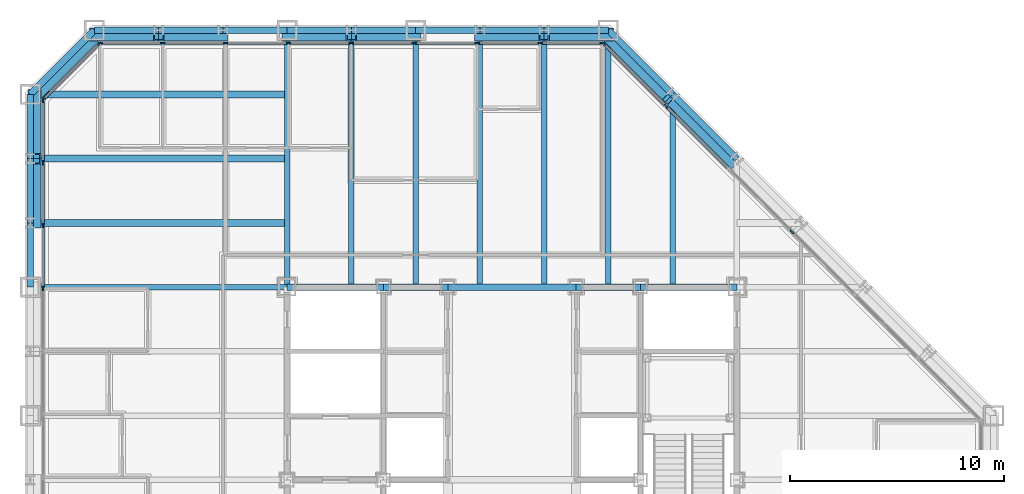
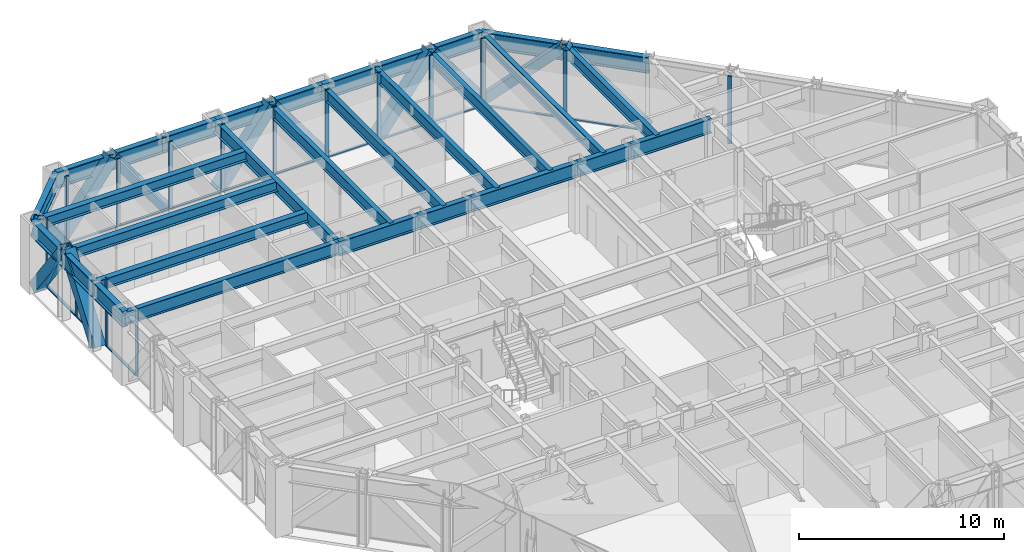
# One storey, part 7 of 16: 43 members, 30 beams, 4 elements without a shape of their own.
"""IFC4 building model written with IfcOpenShell, lengths in metres."""

from ifc_helpers import new_model, si_unit, direction, frame, origin, origin_2d, place, context, subcontext, project, spatial, rectangle, hollow_rectangle, i_section, extrude, material, layer, layer_set, material_profile, profile_set, type_object, element, aggregate, save


model = new_model("IFC4")

# Units and contexts
model_context = context("Model", 3, precision=1e-05, world=origin(), true_north=direction((0.0, 1.0)))
body_context = subcontext(model_context, "Body", "Model", "MODEL_VIEW")
ifc_project = project(units=[si_unit("LENGTHUNIT", "METRE"), si_unit("AREAUNIT", "SQUARE_METRE"), si_unit("VOLUMEUNIT", "CUBIC_METRE"), si_unit("PLANEANGLEUNIT", "RADIAN"), si_unit("MASSUNIT", "GRAM", prefix="KILO")], contexts=[model_context])

# Site, building, storey
site_placement = place(None, origin())
site = spatial("IfcSite", under=ifc_project, at=site_placement, CompositionType="ELEMENT")
building_placement = place(site_placement, origin())
building = spatial("IfcBuilding", under=site, at=building_placement, Name="Chuquiago Exchange Tower", CompositionType="ELEMENT")
storey_placement = place(building_placement, frame((0.0, 0.0, 140.39990234375)))
storey = spatial("IfcBuildingStorey", under=building, at=storey_placement, Name="L30", CompositionType="ELEMENT", Elevation=140.39990234375)

# Beams
ifc_material_1 = material(Name="Steel ASTM A992", Category="steel")
ifc_material_profile_1 = material_profile(ifc_material_1, i_section(OverallWidth=0.25390625, OverallDepth=0.683349609375, WebThickness=0.012451171875, FlangeThickness=0.018798828125, at=origin_2d()), Name="W27X94")
ifc_profile_set_1 = profile_set([ifc_material_profile_1], Name="Steel ASTM A992")
beam_type_1 = type_object("IfcBeamType", Name="B1 W27X94", PredefinedType="BEAM", material=ifc_profile_set_1)
for number, where, z_axis, x_axis, name in (
    (1, (15.0, 33.0, 3.698486328125), (0.0, 1.0, 0.0), (-1.0, 0.0, 0.0), "FB-L31-infill-15_33-15_45-0"),
    (2, (18.0, 33.0, 3.698486328125), (0.0, 1.0, 0.0), (-1.0, 0.0, 0.0), "FB-L31-infill-18_33-18_45-0"),
    (3, (21.0, 33.0, 3.698486328125), (0.0, 1.0, 0.0), (-1.0, 0.0, 0.0), "FB-L31-infill-21_33-21_45-0"),
    (4, (24.0, 33.0, 3.698486328125), (0.0, 1.0, 0.0), (-1.0, 0.0, 0.0), "FB-L31-infill-24_33-24_45-0"),
    (5, (27.0, 33.0, 3.698486328125), (0.0, 1.0, 0.0), (-1.0, 0.0, 0.0), "FB-L31-infill-27_33-27_45-0"),
):
    element("IfcBeam", number, at=place(storey_placement, frame(where, z_axis=z_axis, x_axis=x_axis)), inside=storey, type_object=beam_type_1, Name=name, PredefinedType="BEAM", context=body_context, shape_type="SweptSolid", body=[
        extrude(i_section(OverallWidth=0.25390625, OverallDepth=0.683349609375, WebThickness=0.012451171875, FlangeThickness=0.018798828125, at=origin_2d()), origin(), (0.0, 0.0, 1.0), 12.0),
    ])
beam_1_placement = place(storey_placement, frame((30.0, 33.0, 3.698486328125), z_axis=(0.0, 1.0, 0.0), x_axis=(-1.0, 0.0, 0.0)))
element("IfcBeam", 6, at=beam_1_placement, inside=storey, type_object=beam_type_1, Name="FB-L31-infill-30_33-30_42-0", PredefinedType="BEAM", context=body_context, shape_type="SweptSolid", body=[
    extrude(i_section(OverallWidth=0.25390625, OverallDepth=0.683349609375, WebThickness=0.012451171875, FlangeThickness=0.018798828125, at=origin_2d()), origin(), (0.0, 0.0, 1.0), 9.0),
])
ifc_material_2 = material(Name="Steel ASTM A992", Category="steel")
ifc_material_profile_2 = material_profile(ifc_material_2, i_section(OverallWidth=0.3251953125, OverallDepth=0.612060546875, WebThickness=0.0126953125, FlangeThickness=0.01904296875, at=origin_2d()), Name="W24X104")
ifc_profile_set_2 = profile_set([ifc_material_profile_2], Name="Steel ASTM A992")
beam_type_2 = type_object("IfcBeamType", Name="B2 W24X104", PredefinedType="BEAM", material=ifc_profile_set_2)
for number, where, z_axis, x_axis, name in (
    (7, (12.0, 36.0, 3.73388671875), (-1.0, 0.0, 0.0), (0.0, -1.0, 0.0), "FB-L31-corner-12_36--0_36-0"),
    (8, (12.0, 39.0, 3.73388671875), (-1.0, 0.0, 0.0), (0.0, -1.0, 0.0), "FB-L31-corner-12_39--0_39-0"),
    (9, (12.0, 42.0, 3.73388671875), (-1.0, 0.0, 0.0), (0.0, -1.0, 0.0), "FB-L31-corner-12_42--0_42-0"),
):
    element("IfcBeam", number, at=place(storey_placement, frame(where, z_axis=z_axis, x_axis=x_axis)), inside=storey, type_object=beam_type_2, Name=name, PredefinedType="BEAM", context=body_context, shape_type="SweptSolid", body=[
        extrude(i_section(OverallWidth=0.3251953125, OverallDepth=0.612060546875, WebThickness=0.0126953125, FlangeThickness=0.01904296875, at=origin_2d()), origin(), (0.0, 0.0, 1.0), 12.0),
    ])
ifc_material_3 = material(Name="Steel ASTM A992", Category="steel")
ifc_material_profile_3 = material_profile(ifc_material_3, i_section(OverallWidth=0.2919921875, OverallDepth=0.8583984375, WebThickness=0.01708984375, FlangeThickness=0.031005859375, at=origin_2d()), Name="W33X169")
ifc_profile_set_3 = profile_set([ifc_material_profile_3], Name="Steel ASTM A992")
beam_type_3 = type_object("IfcBeamType", Name="B3 W33X169", PredefinedType="BEAM", material=ifc_profile_set_3)
beam_2_placement = place(storey_placement, frame((12.0, 33.0, 3.61083984375), z_axis=(1.0, 0.0, 0.0), x_axis=(0.0, 1.0, 0.0)))
element("IfcBeam", 10, at=beam_2_placement, inside=storey, type_object=beam_type_3, Name="CB-L31-12_33-16.5_33", PredefinedType="BEAM", context=body_context, shape_type="SweptSolid", body=[
    extrude(i_section(OverallWidth=0.2919921875, OverallDepth=0.8583984375, WebThickness=0.01708984375, FlangeThickness=0.031005859375, at=origin_2d()), origin(), (0.0, 0.0, 1.0), 4.5),
])
beam_3_placement = place(storey_placement, frame((16.5, 33.0, 3.61083984375), z_axis=(1.0, 0.0, 0.0), x_axis=(0.0, 1.0, 0.0)))
element("IfcBeam", 11, at=beam_3_placement, inside=storey, type_object=beam_type_3, Name="CB-L31-16.5_33-19.5_33", PredefinedType="BEAM", context=body_context, shape_type="SweptSolid", body=[
    extrude(i_section(OverallWidth=0.2919921875, OverallDepth=0.8583984375, WebThickness=0.01708984375, FlangeThickness=0.031005859375, at=origin_2d()), origin(), (0.0, 0.0, 1.0), 3.0),
])
beam_4_placement = place(storey_placement, frame((19.5, 33.0, 3.61083984375), z_axis=(1.0, 0.0, 0.0), x_axis=(0.0, 1.0, 0.0)))
element("IfcBeam", 12, at=beam_4_placement, inside=storey, type_object=beam_type_3, Name="CB-L31-19.5_33-25.5_33", PredefinedType="BEAM", context=body_context, shape_type="SweptSolid", body=[
    extrude(i_section(OverallWidth=0.2919921875, OverallDepth=0.8583984375, WebThickness=0.01708984375, FlangeThickness=0.031005859375, at=origin_2d()), origin(), (0.0, 0.0, 1.0), 6.0),
])
beam_5_placement = place(storey_placement, frame((25.5, 33.0, 3.61083984375), z_axis=(1.0, 0.0, 0.0), x_axis=(0.0, 1.0, 0.0)))
element("IfcBeam", 13, at=beam_5_placement, inside=storey, type_object=beam_type_3, Name="CB-L31-25.5_33-28.5_33", PredefinedType="BEAM", context=body_context, shape_type="SweptSolid", body=[
    extrude(i_section(OverallWidth=0.2919921875, OverallDepth=0.8583984375, WebThickness=0.01708984375, FlangeThickness=0.031005859375, at=origin_2d()), origin(), (0.0, 0.0, 1.0), 3.0),
])
beam_6_placement = place(storey_placement, frame((28.5, 33.0, 3.61083984375), z_axis=(1.0, 0.0, 0.0), x_axis=(0.0, 1.0, 0.0)))
element("IfcBeam", 14, at=beam_6_placement, inside=storey, type_object=beam_type_3, Name="CB-L31-28.5_33-33_33", PredefinedType="BEAM", context=body_context, shape_type="SweptSolid", body=[
    extrude(i_section(OverallWidth=0.2919921875, OverallDepth=0.8583984375, WebThickness=0.01708984375, FlangeThickness=0.031005859375, at=origin_2d()), origin(), (0.0, 0.0, 1.0), 4.5),
])

# Curtain wall, members
ifc_material_4 = material(Name="Aluminium curtain wall system", Category="aluminium")
ifc_layer_1 = layer(ifc_material_4, 0.22509765625)
ifc_layer_set_1 = layer_set([ifc_layer_1], Name="CW2 office curtain wall")
curtain_wall_type_1 = type_object("IfcCurtainWallType", Name="CW2 office curtain wall", PredefinedType="NOTDEFINED", material=ifc_layer_set_1)
curtain_wall_1_placement = place(storey_placement, origin())
curtain_wall_1 = element("IfcCurtainWall", 15, at=curtain_wall_1_placement, inside=storey, type_object=curtain_wall_type_1, Name="CW2 curtain wall L30", PredefinedType="NOTDEFINED")
ifc_material_5 = material(Name="Aluminium mullion, pale anodised", Category="aluminium")
ifc_material_profile_4 = material_profile(ifc_material_5, rectangle(XDim=0.06494140625, YDim=0.22509765625, at=origin_2d()), Name="AL 65x225")
ifc_profile_set_4 = profile_set([ifc_material_profile_4], Name="Aluminium mullion, pale anodised")
member_type_1 = type_object("IfcMemberType", Name="CW2-M mullion 65x225", PredefinedType="MULLION", material=ifc_profile_set_4)
member_1_placement = place(storey_placement, frame((26.718994140625, 44.39990234375, 0.0), z_axis=(0.0, 0.0, 1.0), x_axis=(0.0, -1.0, 0.0)))
member_1 = element("IfcMember", 16, at=member_1_placement, type_object=member_type_1, Name="CW2 mullion 1", PredefinedType="MULLION", context=body_context, shape_type="SweptSolid", body=[
    extrude(rectangle(XDim=0.06494140625, YDim=0.22509765625, at=origin_2d()), origin(), (0.0, 0.0, 1.0), 4.0400390625),
])
member_2_placement = place(storey_placement, frame((23.813720703125, 44.39990234375, 0.0), z_axis=(0.0, 0.0, 1.0), x_axis=(0.0, -1.0, 0.0)))
member_2 = element("IfcMember", 17, at=member_2_placement, type_object=member_type_1, Name="CW2 mullion 2", PredefinedType="MULLION", context=body_context, shape_type="SweptSolid", body=[
    extrude(rectangle(XDim=0.06494140625, YDim=0.22509765625, at=origin_2d()), origin(), (0.0, 0.0, 1.0), 4.0400390625),
])
member_3_placement = place(storey_placement, frame((20.875732421875, 44.39990234375, 0.0), z_axis=(0.0, 0.0, 1.0), x_axis=(0.0, -1.0, 0.0)))
member_3 = element("IfcMember", 18, at=member_3_placement, type_object=member_type_1, Name="CW2 mullion 3", PredefinedType="MULLION", context=body_context, shape_type="SweptSolid", body=[
    extrude(rectangle(XDim=0.06494140625, YDim=0.22509765625, at=origin_2d()), origin(), (0.0, 0.0, 1.0), 4.0400390625),
])
member_4_placement = place(storey_placement, frame((17.93798828125, 44.39990234375, 0.0), z_axis=(0.0, 0.0, 1.0), x_axis=(0.0, -1.0, 0.0)))
member_4 = element("IfcMember", 19, at=member_4_placement, type_object=member_type_1, Name="CW2 mullion 4", PredefinedType="MULLION", context=body_context, shape_type="SweptSolid", body=[
    extrude(rectangle(XDim=0.06494140625, YDim=0.22509765625, at=origin_2d()), origin(), (0.0, 0.0, 1.0), 4.0400390625),
])
member_5_placement = place(storey_placement, frame((15.0, 44.39990234375, 0.0), z_axis=(0.0, 0.0, 1.0), x_axis=(0.0, -1.0, 0.0)))
member_5 = element("IfcMember", 20, at=member_5_placement, type_object=member_type_1, Name="CW2 mullion 5", PredefinedType="MULLION", context=body_context, shape_type="SweptSolid", body=[
    extrude(rectangle(XDim=0.06494140625, YDim=0.22509765625, at=origin_2d()), origin(), (0.0, 0.0, 1.0), 4.0400390625),
])
member_6_placement = place(storey_placement, frame((12.06201171875, 44.39990234375, 0.0), z_axis=(0.0, 0.0, 1.0), x_axis=(0.0, -1.0, 0.0)))
member_6 = element("IfcMember", 21, at=member_6_placement, type_object=member_type_1, Name="CW2 mullion 6", PredefinedType="MULLION", context=body_context, shape_type="SweptSolid", body=[
    extrude(rectangle(XDim=0.06494140625, YDim=0.22509765625, at=origin_2d()), origin(), (0.0, 0.0, 1.0), 4.0400390625),
])
member_7_placement = place(storey_placement, frame((9.124267578125, 44.39990234375, 0.0), z_axis=(0.0, 0.0, 1.0), x_axis=(0.0, -1.0, 0.0)))
member_7 = element("IfcMember", 22, at=member_7_placement, type_object=member_type_1, Name="CW2 mullion 7", PredefinedType="MULLION", context=body_context, shape_type="SweptSolid", body=[
    extrude(rectangle(XDim=0.06494140625, YDim=0.22509765625, at=origin_2d()), origin(), (0.0, 0.0, 1.0), 4.0400390625),
])
member_8_placement = place(storey_placement, frame((6.186279296875, 44.39990234375, 0.0), z_axis=(0.0, 0.0, 1.0), x_axis=(0.0, -1.0, 0.0)))
member_8 = element("IfcMember", 23, at=member_8_placement, type_object=member_type_1, Name="CW2 mullion 8", PredefinedType="MULLION", context=body_context, shape_type="SweptSolid", body=[
    extrude(rectangle(XDim=0.06494140625, YDim=0.22509765625, at=origin_2d()), origin(), (0.0, 0.0, 1.0), 4.0400390625),
])
member_9_placement = place(storey_placement, frame((3.281005859375, 44.39990234375, 0.0), z_axis=(0.0, 0.0, 1.0), x_axis=(0.0, -1.0, 0.0)))
member_9 = element("IfcMember", 24, at=member_9_placement, type_object=member_type_1, Name="CW2 mullion 9", PredefinedType="MULLION", context=body_context, shape_type="SweptSolid", body=[
    extrude(rectangle(XDim=0.06494140625, YDim=0.22509765625, at=origin_2d()), origin(), (0.0, 0.0, 1.0), 4.0400390625),
])

curtain_wall_2_placement = place(storey_placement, origin())
curtain_wall_2 = element("IfcCurtainWall", 25, at=curtain_wall_2_placement, inside=storey, type_object=curtain_wall_type_1, Name="CW2 curtain wall L30", PredefinedType="NOTDEFINED")
member_10_placement = place(storey_placement, frame((0.60009765625, 41.718994140625, 0.0), z_axis=(0.0, 0.0, 1.0), x_axis=(1.0, 0.0, 0.0)))
member_10 = element("IfcMember", 26, at=member_10_placement, type_object=member_type_1, Name="CW2 mullion 1", PredefinedType="MULLION", context=body_context, shape_type="SweptSolid", body=[
    extrude(rectangle(XDim=0.06494140625, YDim=0.22509765625, at=origin_2d()), origin(), (0.0, 0.0, 1.0), 4.0400390625),
])
member_11_placement = place(storey_placement, frame((0.60009765625, 38.813720703125, 0.0), z_axis=(0.0, 0.0, 1.0), x_axis=(1.0, 0.0, 0.0)))
member_11 = element("IfcMember", 27, at=member_11_placement, type_object=member_type_1, Name="CW2 mullion 2", PredefinedType="MULLION", context=body_context, shape_type="SweptSolid", body=[
    extrude(rectangle(XDim=0.06494140625, YDim=0.22509765625, at=origin_2d()), origin(), (0.0, 0.0, 1.0), 4.0400390625),
])
member_12_placement = place(storey_placement, frame((0.60009765625, 35.875732421875, 0.0), z_axis=(0.0, 0.0, 1.0), x_axis=(1.0, 0.0, 0.0)))
member_12 = element("IfcMember", 28, at=member_12_placement, type_object=member_type_1, Name="CW2 mullion 3", PredefinedType="MULLION", context=body_context, shape_type="SweptSolid", body=[
    extrude(rectangle(XDim=0.06494140625, YDim=0.22509765625, at=origin_2d()), origin(), (0.0, 0.0, 1.0), 4.0400390625),
])
member_13_placement = place(storey_placement, frame((0.60009765625, 32.93798828125, 0.0), z_axis=(0.0, 0.0, 1.0), x_axis=(1.0, 0.0, 0.0)))
member_13 = element("IfcMember", 29, at=member_13_placement, type_object=member_type_1, Name="CW2 mullion 4", PredefinedType="MULLION", context=body_context, shape_type="SweptSolid", body=[
    extrude(rectangle(XDim=0.06494140625, YDim=0.22509765625, at=origin_2d()), origin(), (0.0, 0.0, 1.0), 4.0400390625),
])

# Member
ifc_material_6 = material(Name="Aluminium transom, pale anodised", Category="aluminium")
ifc_material_profile_5 = material_profile(ifc_material_6, rectangle(XDim=0.139892578125, YDim=0.06494140625, at=origin_2d()), Name="AL 140x65")
ifc_profile_set_5 = profile_set([ifc_material_profile_5], Name="Aluminium transom, pale anodised")
member_type_2 = type_object("IfcMemberType", Name="CW2-T transom 65x140", PredefinedType="MULLION", material=ifc_profile_set_5)
member_14_placement = place(storey_placement, frame((26.6865234375, 44.39990234375, 0.03271484375), z_axis=(-1.0, 0.0, 0.0), x_axis=(0.0, -1.0, 0.0)))
member_14 = element("IfcMember", 30, at=member_14_placement, type_object=member_type_2, Name="CW2 transom 1.1", PredefinedType="MULLION", context=body_context, shape_type="SweptSolid", body=[
    extrude(rectangle(XDim=0.139892578125, YDim=0.06494140625, at=origin_2d()), origin(), (0.0, 0.0, 1.0), 2.84033203125),
])

member_15_placement = place(storey_placement, frame((23.781005859375, 44.39990234375, 0.03271484375), z_axis=(-1.0, 0.0, 0.0), x_axis=(0.0, -1.0, 0.0)))
member_15 = element("IfcMember", 31, at=member_15_placement, type_object=member_type_2, Name="CW2 transom 2.1", PredefinedType="MULLION", context=body_context, shape_type="SweptSolid", body=[
    extrude(rectangle(XDim=0.139892578125, YDim=0.06494140625, at=origin_2d()), origin(), (0.0, 0.0, 1.0), 2.872802734375),
])

member_16_placement = place(storey_placement, frame((20.84326171875, 44.39990234375, 0.03271484375), z_axis=(-1.0, 0.0, 0.0), x_axis=(0.0, -1.0, 0.0)))
member_16 = element("IfcMember", 32, at=member_16_placement, type_object=member_type_2, Name="CW2 transom 3.1", PredefinedType="MULLION", context=body_context, shape_type="SweptSolid", body=[
    extrude(rectangle(XDim=0.139892578125, YDim=0.06494140625, at=origin_2d()), origin(), (0.0, 0.0, 1.0), 2.872802734375),
])

member_17_placement = place(storey_placement, frame((17.9052734375, 44.39990234375, 0.03271484375), z_axis=(-1.0, 0.0, 0.0), x_axis=(0.0, -1.0, 0.0)))
member_17 = element("IfcMember", 33, at=member_17_placement, type_object=member_type_2, Name="CW2 transom 4.1", PredefinedType="MULLION", context=body_context, shape_type="SweptSolid", body=[
    extrude(rectangle(XDim=0.139892578125, YDim=0.06494140625, at=origin_2d()), origin(), (0.0, 0.0, 1.0), 2.872802734375),
])

member_18_placement = place(storey_placement, frame((14.967529296875, 44.39990234375, 0.03271484375), z_axis=(-1.0, 0.0, 0.0), x_axis=(0.0, -1.0, 0.0)))
member_18 = element("IfcMember", 34, at=member_18_placement, type_object=member_type_2, Name="CW2 transom 5.1", PredefinedType="MULLION", context=body_context, shape_type="SweptSolid", body=[
    extrude(rectangle(XDim=0.139892578125, YDim=0.06494140625, at=origin_2d()), origin(), (0.0, 0.0, 1.0), 2.872802734375),
])

member_19_placement = place(storey_placement, frame((12.029541015625, 44.39990234375, 0.03271484375), z_axis=(-1.0, 0.0, 0.0), x_axis=(0.0, -1.0, 0.0)))
member_19 = element("IfcMember", 35, at=member_19_placement, type_object=member_type_2, Name="CW2 transom 6.1", PredefinedType="MULLION", context=body_context, shape_type="SweptSolid", body=[
    extrude(rectangle(XDim=0.139892578125, YDim=0.06494140625, at=origin_2d()), origin(), (0.0, 0.0, 1.0), 2.872802734375),
])

member_20_placement = place(storey_placement, frame((9.091796875, 44.39990234375, 0.03271484375), z_axis=(-1.0, 0.0, 0.0), x_axis=(0.0, -1.0, 0.0)))
member_20 = element("IfcMember", 36, at=member_20_placement, type_object=member_type_2, Name="CW2 transom 7.1", PredefinedType="MULLION", context=body_context, shape_type="SweptSolid", body=[
    extrude(rectangle(XDim=0.139892578125, YDim=0.06494140625, at=origin_2d()), origin(), (0.0, 0.0, 1.0), 2.872802734375),
])

member_21_placement = place(storey_placement, frame((6.15380859375, 44.39990234375, 0.03271484375), z_axis=(-1.0, 0.0, 0.0), x_axis=(0.0, -1.0, 0.0)))
member_21 = element("IfcMember", 37, at=member_21_placement, type_object=member_type_2, Name="CW2 transom 8.1", PredefinedType="MULLION", context=body_context, shape_type="SweptSolid", body=[
    extrude(rectangle(XDim=0.139892578125, YDim=0.06494140625, at=origin_2d()), origin(), (0.0, 0.0, 1.0), 2.84033203125),
])

aggregate(curtain_wall_1, [member_1, member_2, member_3, member_4, member_5, member_6, member_7, member_8, member_9, member_14, member_15, member_16, member_17, member_18, member_19, member_20, member_21])

member_22_placement = place(storey_placement, frame((0.60009765625, 41.6865234375, 0.03271484375), z_axis=(0.0, -1.0, 0.0), x_axis=(1.0, 0.0, 0.0)))
member_22 = element("IfcMember", 38, at=member_22_placement, type_object=member_type_2, Name="CW2 transom 1.1", PredefinedType="MULLION", context=body_context, shape_type="SweptSolid", body=[
    extrude(rectangle(XDim=0.139892578125, YDim=0.06494140625, at=origin_2d()), origin(), (0.0, 0.0, 1.0), 2.84033203125),
])

member_23_placement = place(storey_placement, frame((0.60009765625, 38.781005859375, 0.03271484375), z_axis=(0.0, -1.0, 0.0), x_axis=(1.0, 0.0, 0.0)))
member_23 = element("IfcMember", 39, at=member_23_placement, type_object=member_type_2, Name="CW2 transom 2.1", PredefinedType="MULLION", context=body_context, shape_type="SweptSolid", body=[
    extrude(rectangle(XDim=0.139892578125, YDim=0.06494140625, at=origin_2d()), origin(), (0.0, 0.0, 1.0), 2.872802734375),
])

member_24_placement = place(storey_placement, frame((0.60009765625, 35.84326171875, 0.03271484375), z_axis=(0.0, -1.0, 0.0), x_axis=(1.0, 0.0, 0.0)))
member_24 = element("IfcMember", 40, at=member_24_placement, type_object=member_type_2, Name="CW2 transom 3.1", PredefinedType="MULLION", context=body_context, shape_type="SweptSolid", body=[
    extrude(rectangle(XDim=0.139892578125, YDim=0.06494140625, at=origin_2d()), origin(), (0.0, 0.0, 1.0), 2.872802734375),
])

aggregate(curtain_wall_2, [member_10, member_11, member_12, member_13, member_22, member_23, member_24])

# Curtain wall, members
ifc_material_7 = material(Name="Aluminium curtain wall system", Category="aluminium")
ifc_layer_2 = layer(ifc_material_7, 0.199951171875)
ifc_layer_set_2 = layer_set([ifc_layer_2], Name="CW3 facet curtain wall")
curtain_wall_type_2 = type_object("IfcCurtainWallType", Name="CW3 facet curtain wall", PredefinedType="NOTDEFINED", material=ifc_layer_set_2)
curtain_wall_3_placement = place(storey_placement, origin())
curtain_wall_3 = element("IfcCurtainWall", 41, at=curtain_wall_3_placement, inside=storey, type_object=curtain_wall_type_2, Name="CW3 curtain wall L30", PredefinedType="NOTDEFINED")
ifc_material_8 = material(Name="Aluminium mullion, pale anodised", Category="aluminium")
ifc_material_profile_6 = material_profile(ifc_material_8, rectangle(XDim=0.06494140625, YDim=0.199951171875, at=origin_2d()), Name="AL 65x200")
ifc_profile_set_6 = profile_set([ifc_material_profile_6], Name="Aluminium mullion, pale anodised")
member_type_3 = type_object("IfcMemberType", Name="CW3-M mullion 65x200", PredefinedType="MULLION", material=ifc_profile_set_6)
member_25_placement = place(storey_placement, frame((35.57568359375, 35.57568359375, 0.0), z_axis=(0.0, 0.0, 1.0), x_axis=(-0.707106781187, -0.707106781187, 0.0)))
member_25 = element("IfcMember", 42, at=member_25_placement, type_object=member_type_3, Name="CW3 mullion 4", PredefinedType="MULLION", context=body_context, shape_type="SweptSolid", body=[
    extrude(rectangle(XDim=0.06494140625, YDim=0.199951171875, at=origin_2d()), origin(), (0.0, 0.0, 1.0), 4.0400390625),
])
member_26_placement = place(storey_placement, frame((29.69287109375, 41.45849609375, 0.0), z_axis=(0.0, 0.0, 1.0), x_axis=(-0.707106781187, -0.707106781187, 0.0)))
member_26 = element("IfcMember", 43, at=member_26_placement, type_object=member_type_3, Name="CW3 mullion 6", PredefinedType="MULLION", context=body_context, shape_type="SweptSolid", body=[
    extrude(rectangle(XDim=0.06494140625, YDim=0.199951171875, at=origin_2d()), origin(), (0.0, 0.0, 1.0), 4.0400390625),
])
member_27_placement = place(storey_placement, frame((26.7744140625, 44.376953125, 0.0), z_axis=(0.0, 0.0, 1.0), x_axis=(-0.707106781187, -0.707106781187, 0.0)))
member_27 = element("IfcMember", 44, at=member_27_placement, type_object=member_type_3, Name="CW3 mullion 7", PredefinedType="MULLION", context=body_context, shape_type="SweptSolid", body=[
    extrude(rectangle(XDim=0.06494140625, YDim=0.199951171875, at=origin_2d()), origin(), (0.0, 0.0, 1.0), 4.0400390625),
])

curtain_wall_4_placement = place(storey_placement, origin())
curtain_wall_4 = element("IfcCurtainWall", 45, at=curtain_wall_4_placement, inside=storey, type_object=curtain_wall_type_2, Name="CW3 curtain wall L30", PredefinedType="NOTDEFINED")
member_28_placement = place(storey_placement, frame((3.2255859375, 44.376953125, 0.0), z_axis=(0.0, 0.0, 1.0), x_axis=(0.707106781187, -0.707106781187, 0.0)))
member_28 = element("IfcMember", 46, at=member_28_placement, type_object=member_type_3, Name="CW3 mullion 1", PredefinedType="MULLION", context=body_context, shape_type="SweptSolid", body=[
    extrude(rectangle(XDim=0.06494140625, YDim=0.199951171875, at=origin_2d()), origin(), (0.0, 0.0, 1.0), 4.0400390625),
])
member_29_placement = place(storey_placement, frame((0.623046875, 41.7744140625, 0.0), z_axis=(0.0, 0.0, 1.0), x_axis=(0.707106781187, -0.707106781187, 0.0)))
member_29 = element("IfcMember", 47, at=member_29_placement, type_object=member_type_3, Name="CW3 mullion 2", PredefinedType="MULLION", context=body_context, shape_type="SweptSolid", body=[
    extrude(rectangle(XDim=0.06494140625, YDim=0.199951171875, at=origin_2d()), origin(), (0.0, 0.0, 1.0), 4.0400390625),
])

# Member
ifc_material_9 = material(Name="Aluminium transom, pale anodised", Category="aluminium")
ifc_material_profile_7 = material_profile(ifc_material_9, rectangle(XDim=0.139892578125, YDim=0.06494140625, at=origin_2d()), Name="AL 140x65")
ifc_profile_set_7 = profile_set([ifc_material_profile_7], Name="Aluminium transom, pale anodised")
member_type_4 = type_object("IfcMemberType", Name="CW3-T transom 65x140", PredefinedType="MULLION", material=ifc_profile_set_7)
member_30_placement = place(storey_placement, frame((32.611328125, 38.5400390625, 0.03271484375), z_axis=(-0.707106781187, 0.707106781187, 0.0), x_axis=(-0.707106781187, -0.707106781187, 0.0)))
member_30 = element("IfcMember", 48, at=member_30_placement, type_object=member_type_4, Name="CW3 transom 5.1", PredefinedType="MULLION", context=body_context, shape_type="SweptSolid", body=[
    extrude(rectangle(XDim=0.139892578125, YDim=0.06494140625, at=origin_2d()), origin(), (0.0, 0.0, 1.0), 4.094970703125),
])

member_31_placement = place(storey_placement, frame((29.669921875, 41.4814453125, 0.03271484375), z_axis=(-0.707106781187, 0.707106781187, 0.0), x_axis=(-0.707106781187, -0.707106781187, 0.0)))
member_31 = element("IfcMember", 49, at=member_31_placement, type_object=member_type_4, Name="CW3 transom 6.1", PredefinedType="MULLION", context=body_context, shape_type="SweptSolid", body=[
    extrude(rectangle(XDim=0.139892578125, YDim=0.06494140625, at=origin_2d()), origin(), (0.0, 0.0, 1.0), 4.0625),
])

aggregate(curtain_wall_3, [member_25, member_26, member_27, member_30, member_31])

member_32_placement = place(storey_placement, frame((3.20263671875, 44.35400390625, 0.03271484375), z_axis=(-0.707106781187, -0.707106781187, 0.0), x_axis=(0.707106781187, -0.707106781187, 0.0)))
member_32 = element("IfcMember", 50, at=member_32_placement, type_object=member_type_4, Name="CW3 transom 1.1", PredefinedType="MULLION", context=body_context, shape_type="SweptSolid", body=[
    extrude(rectangle(XDim=0.139892578125, YDim=0.06494140625, at=origin_2d()), origin(), (0.0, 0.0, 1.0), 3.61572265625),
])

aggregate(curtain_wall_4, [member_28, member_29, member_32])

# Beams
ifc_material_10 = material(Name="Steel ASTM A992", Category="steel")
ifc_material_profile_8 = material_profile(ifc_material_10, i_section(OverallWidth=0.2666015625, OverallDepth=0.76953125, WebThickness=0.015625, FlangeThickness=0.025390625, at=origin_2d()), Name="W30X132")
ifc_profile_set_8 = profile_set([ifc_material_profile_8], Name="Steel ASTM A992")
beam_type_4 = type_object("IfcBeamType", Name="G1 W30X132", PredefinedType="BEAM", material=ifc_profile_set_8)
for number, where, z_axis, x_axis, name in (
    (51, (12.0, 33.0, 3.6552734375), (0.0, 1.0, 0.0), (-1.0, 0.0, 0.0), "FB-L31-girder-12_33-12_45-0"),
    (52, (12.0, 33.0, 3.6552734375), (-1.0, 0.0, 0.0), (0.0, -1.0, 0.0), "FB-L31-girder-12_33--0_33-0"),
):
    element("IfcBeam", number, at=place(storey_placement, frame(where, z_axis=z_axis, x_axis=x_axis)), inside=storey, type_object=beam_type_4, Name=name, PredefinedType="BEAM", context=body_context, shape_type="SweptSolid", body=[
        extrude(i_section(OverallWidth=0.2666015625, OverallDepth=0.76953125, WebThickness=0.015625, FlangeThickness=0.025390625, at=origin_2d()), origin(), (0.0, 0.0, 1.0), 12.0),
    ])

# Members
ifc_material_11 = material(Name="Steel ASTM A500 Grade C", Category="steel")
ifc_material_profile_9 = material_profile(ifc_material_11, hollow_rectangle(XDim=0.508056640625, YDim=0.508056640625, WallThickness=0.017822265625, at=origin_2d()), Name="HSS20X20X3/4")
ifc_profile_set_9 = profile_set([ifc_material_profile_9], Name="Steel ASTM A500 Grade C")
member_type_5 = type_object("IfcMemberType", Name="LB1 HSS20X20X3/4", PredefinedType="BRACE", material=ifc_profile_set_9)
for number, where, z_axis, x_axis, name in (
    (53, (32.822509765625, 38.822509765625, 0.0), (-0.512077265487, 0.512077265487, 0.689604051861), (-0.707106781187, -0.707106781187, 0.0), "LB-L30-33_39-30_42"),
    (54, (26.822509765625, 44.822509765625, 0.0), (0.512077265487, -0.512077265487, 0.689604051861), (0.707106781187, 0.707106781187, 0.0), "LB-L30-30_42-27_45"),
    (55, (3.177490234375, 44.822509765625, 0.0), (-0.512077265487, -0.512077265487, 0.689604051861), (0.707106781187, -0.707106781187, 0.0), "LB-L30-3_45-0_42"),
):
    element("IfcMember", number, at=place(storey_placement, frame(where, z_axis=z_axis, x_axis=x_axis)), inside=storey, type_object=member_type_5, Name=name, PredefinedType="BRACE", context=body_context, shape_type="SweptSolid", body=[
        extrude(hollow_rectangle(XDim=0.508056640625, YDim=0.508056640625, WallThickness=0.017822265625, at=origin_2d()), origin(), (0.0, 0.0, 1.0), 5.8583984375),
    ])
ifc_material_12 = material(Name="Steel ASTM A572 Grade 50", Category="steel")
ifc_material_profile_10 = material_profile(ifc_material_12, hollow_rectangle(XDim=0.60009765625, YDim=0.60009765625, WallThickness=0.06005859375, at=origin_2d()), Name="BOX600X600X60")
ifc_profile_set_10 = profile_set([ifc_material_profile_10], Name="Steel ASTM A572 Grade 50")
member_type_6 = type_object("IfcMemberType", Name="MB2 BOX600X600X60", PredefinedType="BRACE", material=ifc_profile_set_10)
for number, where, z_axis, x_axis, name in (
    (56, (27.0, 44.794921875, 0.0), (-0.596173923302, 0.0, 0.802855312728), (0.0, -1.0, 0.0), "Mega diagonal L30 N face"),
    (57, (21.0, 44.794921875, 0.0), (0.596173923302, 0.0, 0.802855312728), (0.0, 1.0, 0.0), "Mega diagonal L30 N face"),
    (58, (18.0, 44.794921875, 0.0), (-0.596173923302, 0.0, 0.802855312728), (0.0, -1.0, 0.0), "Mega diagonal L30 N face"),
    (59, (12.0, 44.794921875, 0.0), (0.596173923302, 0.0, 0.802855312728), (0.0, 1.0, 0.0), "Mega diagonal L30 N face"),
    (60, (9.0, 44.794921875, 0.0), (-0.596173923302, 0.0, 0.802855312728), (0.0, -1.0, 0.0), "Mega diagonal L30 N face"),
    (61, (3.0, 44.794921875, 0.0), (0.596173923302, 0.0, 0.802855312728), (0.0, 1.0, 0.0), "Mega diagonal L30 N face"),
    (62, (0.205078125, 42.0, 0.0), (0.0, -0.596173923302, 0.802855312728), (1.0, 0.0, 0.0), "Mega diagonal L30 W face"),
    (63, (0.205078125, 36.0, 0.0), (0.0, 0.596173923302, 0.802855312728), (-1.0, 0.0, 0.0), "Mega diagonal L30 W face"),
):
    element("IfcMember", number, at=place(storey_placement, frame(where, z_axis=z_axis, x_axis=x_axis)), inside=storey, type_object=member_type_6, Name=name, PredefinedType="BRACE", context=body_context, shape_type="SweptSolid", body=[
        extrude(hollow_rectangle(XDim=0.60009765625, YDim=0.60009765625, WallThickness=0.06005859375, at=origin_2d()), origin(), (0.0, 0.0, 1.0), 5.031982421875),
    ])

# Beams
ifc_material_13 = material(Name="Steel ASTM A992", Category="steel")
ifc_material_profile_11 = material_profile(ifc_material_13, i_section(OverallWidth=0.309814453125, OverallDepth=0.949951171875, WebThickness=0.0244140625, FlangeThickness=0.0439453125, at=origin_2d()), Name="W36X256")
ifc_profile_set_11 = profile_set([ifc_material_profile_11], Name="Steel ASTM A992")
beam_type_5 = type_object("IfcBeamType", Name="SP2 W36X256", PredefinedType="SPANDREL", material=ifc_profile_set_11)
for number, where, z_axis, x_axis, name in (
    (64, (33.0, 39.0, 3.565185546875), (-0.707106781187, 0.707106781187, 0.0), (-0.707106781187, -0.707106781187, 0.0), "SPB-L31-33_39-30_42"),
    (65, (30.0, 42.0, 3.565185546875), (-0.707106781187, 0.707106781187, 0.0), (-0.707106781187, -0.707106781187, 0.0), "SPB-L31-30_42-27_45"),
):
    element("IfcBeam", number, at=place(storey_placement, frame(where, z_axis=z_axis, x_axis=x_axis)), inside=storey, type_object=beam_type_5, Name=name, PredefinedType="SPANDREL", context=body_context, shape_type="SweptSolid", body=[
        extrude(i_section(OverallWidth=0.309814453125, OverallDepth=0.949951171875, WebThickness=0.0244140625, FlangeThickness=0.0439453125, at=origin_2d()), origin(), (0.0, 0.0, 1.0), 4.24267578125),
    ])
for number, where, z_axis, x_axis, name in (
    (66, (27.0, 45.0, 3.565185546875), (-1.0, 0.0, 0.0), (0.0, -1.0, 0.0), "SPB-L31-27_45-24_45"),
    (67, (24.0, 45.0, 3.565185546875), (-1.0, 0.0, 0.0), (0.0, -1.0, 0.0), "SPB-L31-24_45-21_45"),
    (68, (21.0, 45.0, 3.565185546875), (-1.0, 0.0, 0.0), (0.0, -1.0, 0.0), "SPB-L31-21_45-18_45"),
    (69, (18.0, 45.0, 3.565185546875), (-1.0, 0.0, 0.0), (0.0, -1.0, 0.0), "SPB-L31-18_45-15_45"),
    (70, (15.0, 45.0, 3.565185546875), (-1.0, 0.0, 0.0), (0.0, -1.0, 0.0), "SPB-L31-15_45-12_45"),
    (71, (12.0, 45.0, 3.565185546875), (-1.0, 0.0, 0.0), (0.0, -1.0, 0.0), "SPB-L31-12_45-9_45"),
    (72, (9.0, 45.0, 3.565185546875), (-1.0, 0.0, 0.0), (0.0, -1.0, 0.0), "SPB-L31-9_45-6_45"),
    (73, (6.0, 45.0, 3.565185546875), (-1.0, 0.0, 0.0), (0.0, -1.0, 0.0), "SPB-L31-6_45-3_45"),
):
    element("IfcBeam", number, at=place(storey_placement, frame(where, z_axis=z_axis, x_axis=x_axis)), inside=storey, type_object=beam_type_5, Name=name, PredefinedType="SPANDREL", context=body_context, shape_type="SweptSolid", body=[
        extrude(i_section(OverallWidth=0.309814453125, OverallDepth=0.949951171875, WebThickness=0.0244140625, FlangeThickness=0.0439453125, at=origin_2d()), origin(), (0.0, 0.0, 1.0), 3.0),
    ])
beam_7_placement = place(storey_placement, frame((3.0, 45.0, 3.565185546875), z_axis=(-0.707106781187, -0.707106781187, 0.0), x_axis=(0.707106781187, -0.707106781187, 0.0)))
element("IfcBeam", 74, at=beam_7_placement, inside=storey, type_object=beam_type_5, Name="SPB-L31-3_45-0_42", PredefinedType="SPANDREL", context=body_context, shape_type="SweptSolid", body=[
    extrude(i_section(OverallWidth=0.309814453125, OverallDepth=0.949951171875, WebThickness=0.0244140625, FlangeThickness=0.0439453125, at=origin_2d()), origin(), (0.0, 0.0, 1.0), 4.24267578125),
])
for number, where, z_axis, x_axis, name in (
    (75, (0.0, 42.0, 3.565185546875), (0.0, -1.0, 0.0), (1.0, 0.0, 0.0), "SPB-L31-0_42-0_39"),
    (76, (0.0, 39.0, 3.565185546875), (0.0, -1.0, 0.0), (1.0, 0.0, 0.0), "SPB-L31-0_39-0_36"),
    (77, (0.0, 36.0, 3.565185546875), (0.0, -1.0, 0.0), (1.0, 0.0, 0.0), "SPB-L31-0_36-0_33"),
):
    element("IfcBeam", number, at=place(storey_placement, frame(where, z_axis=z_axis, x_axis=x_axis)), inside=storey, type_object=beam_type_5, Name=name, PredefinedType="SPANDREL", context=body_context, shape_type="SweptSolid", body=[
        extrude(i_section(OverallWidth=0.309814453125, OverallDepth=0.949951171875, WebThickness=0.0244140625, FlangeThickness=0.0439453125, at=origin_2d()), origin(), (0.0, 0.0, 1.0), 3.0),
    ])

save(model, "model.ifc")
